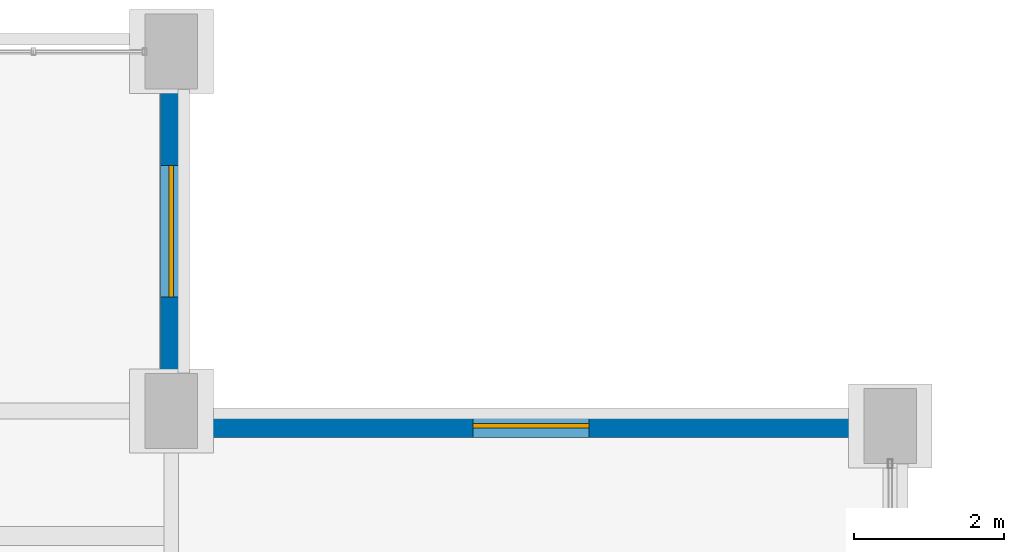
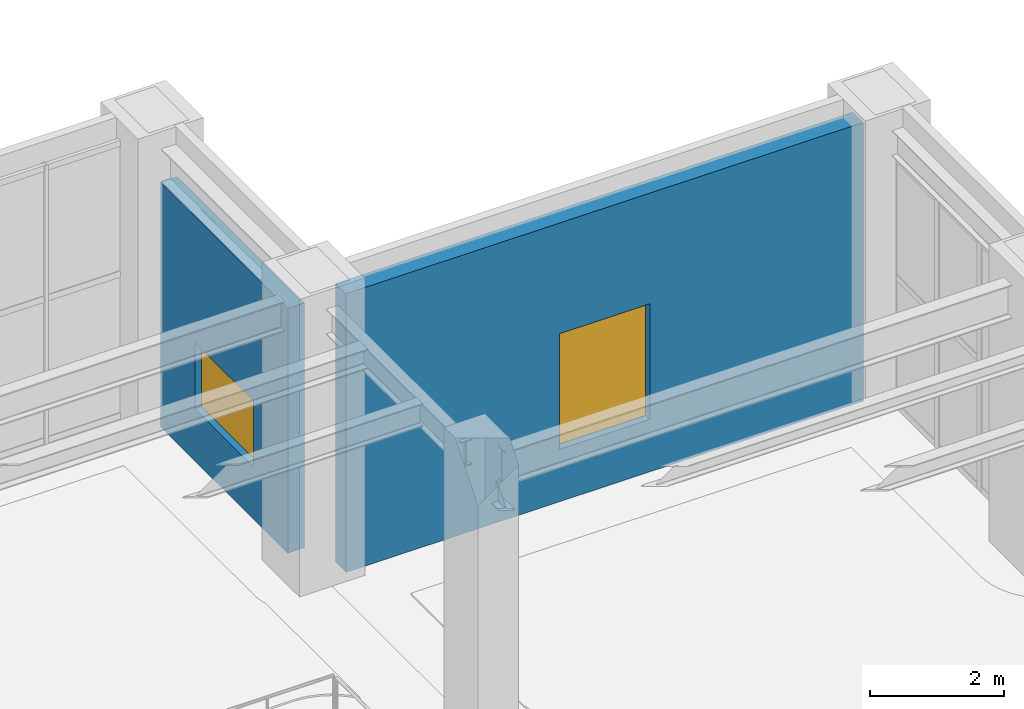
# One storey, part 137 of 164: 2 walls, 2 windows, 2 openings.
"""IFC4 building model written with IfcOpenShell, lengths in metres."""

from ifc_helpers import new_model, si_unit, direction, frame, frame_2d, origin, place, context, subcontext, project, spatial, rectangle, extrude, material, layer, layer_set, type_object, element, fill, save


model = new_model("IFC4")

# Units and contexts
model_context = context("Model", 3, precision=1e-05, world=origin(), true_north=direction((0.0, 1.0)))
body_context = subcontext(model_context, "Body", "Model", "MODEL_VIEW")
ifc_project = project(units=[si_unit("LENGTHUNIT", "METRE"), si_unit("AREAUNIT", "SQUARE_METRE"), si_unit("VOLUMEUNIT", "CUBIC_METRE"), si_unit("PLANEANGLEUNIT", "RADIAN"), si_unit("MASSUNIT", "GRAM", prefix="KILO")], contexts=[model_context])

# Site, building, storey
site_placement = place(None, origin())
site = spatial("IfcSite", under=ifc_project, at=site_placement, CompositionType="ELEMENT")
building_placement = place(site_placement, origin())
building = spatial("IfcBuilding", under=site, at=building_placement, Name="Mavantir Sound Aquarium", CompositionType="ELEMENT")
storey_placement = place(building_placement, origin())
storey = spatial("IfcBuildingStorey", under=building, at=storey_placement, Name="L00", CompositionType="ELEMENT", Elevation=0.0)

# Wall, opening, window
ifc_material_1 = material(Name="Coral-Buff Architectural Precast Concrete C40/50", Category="concrete")
ifc_layer_1 = layer(ifc_material_1, 0.31005859375, Name="Coral-Buff Architectural Precast Concrete C40/50")
ifc_layer_set_1 = layer_set([ifc_layer_1], Name="Coral-Buff Architectural Precast Concrete C40/50")
wall_type_1 = type_object("IfcWallType", Name="EW-CORAL-310", PredefinedType="SOLIDWALL", material=ifc_layer_set_1)
wall_1_placement = place(storey_placement, frame((146.0419921875, 80.60009765625, 0.0), z_axis=(0.0, 0.0, 1.0), x_axis=(-1.0, 0.0, 0.0)))
wall_1 = element("IfcWall", 1, at=wall_1_placement, inside=storey, type_object=wall_type_1, Name="L00 exterior facade wall EW-02 86", PredefinedType="SOLIDWALL", context=body_context, shape_type="SweptSolid", body=[
    extrude(rectangle(XDim=8.884033203125, YDim=0.31005859375, at=frame_2d((4.44189453125, 0.0))), origin(), (0.0, 0.0, 1.0), 5.06005859375),
])
opening_1_placement = place(wall_1_placement, frame((3.6669921875, 0.0, 0.949951171875)))
opening_1 = element("IfcOpeningElement", 2, at=opening_1_placement, cuts=wall_1, Name="Opening W-16", PredefinedType="OPENING", context=body_context, shape_type="SweptSolid", body=[
    extrude(rectangle(XDim=1.550048828125, YDim=2.10009765625, at=frame_2d((0.77490234375, 1.050048828125))), frame((0.0, 0.1650390625, 0.0), z_axis=(0.0, -1.0, 0.0), x_axis=(1.0, 0.0, 0.0)), (0.0, 0.0, 1.0), 0.330078125),
])
ifc_material_2 = material(Name="Thermally Broken Aluminium and Low-E Glass", Category="aluminium")
window_type_1 = type_object("IfcWindowType", Name="WIN-EXT-16", PartitioningType="SINGLE_PANEL", PredefinedType="WINDOW", material=ifc_material_2)
window_1_placement = place(opening_1_placement, origin())
window_1 = element("IfcWindow", 3, at=window_1_placement, inside=storey, type_object=window_type_1, Name="L00 facade window W-16 16", OverallHeight=2.10009765625, OverallWidth=1.550048828125, PartitioningType="SINGLE_PANEL", PredefinedType="WINDOW", context=body_context, shape_type="SweptSolid", body=[
    extrude(rectangle(XDim=1.550048828125, YDim=2.10009765625, at=frame_2d((0.77490234375, 1.050048828125))), frame((0.0, 0.030029296875, 0.0), z_axis=(0.0, -1.0, 0.0), x_axis=(1.0, 0.0, 0.0)), (0.0, 0.0, 1.0), 0.06005859375),
])
fill(opening_1, window_1)

ifc_material_3 = material(Name="Turquoise Glazed Terracotta Rainscreen on Concrete C40/50", Category="masonry")
ifc_layer_2 = layer(ifc_material_3, 0.2900390625, Name="Turquoise Glazed Terracotta Rainscreen on Concrete C40/50")
ifc_layer_set_2 = layer_set([ifc_layer_2], Name="Turquoise Glazed Terracotta Rainscreen on Concrete C40/50")
wall_type_2 = type_object("IfcWallType", Name="EW-TERRA-290", PredefinedType="SOLIDWALL", material=ifc_layer_set_2)
wall_2_placement = place(storey_placement, frame((136.800048828125, 81.30810546875, 0.0), z_axis=(0.0, 0.0, 1.0), x_axis=(0.0, 1.0, 0.0)))
wall_2 = element("IfcWall", 4, at=wall_2_placement, inside=storey, type_object=wall_type_2, Name="L00 exterior facade wall EW-03 87", PredefinedType="SOLIDWALL", context=body_context, shape_type="SweptSolid", body=[
    extrude(rectangle(XDim=3.783935546875, YDim=0.2900390625, at=frame_2d((1.89208984375, 0.0))), origin(), (0.0, 0.0, 1.0), 4.445068359375),
])
opening_2_placement = place(wall_2_placement, frame((1.01708984375, 0.0, 0.949951171875)))
opening_2 = element("IfcOpeningElement", 5, at=opening_2_placement, cuts=wall_2, Name="Opening W-17", PredefinedType="OPENING", context=body_context, shape_type="SweptSolid", body=[
    extrude(rectangle(XDim=1.75, YDim=1.199951171875, at=frame_2d((0.875, 0.60009765625))), frame((0.0, 0.155029296875, 0.0), z_axis=(0.0, -1.0, 0.0), x_axis=(1.0, 0.0, 0.0)), (0.0, 0.0, 1.0), 0.31005859375),
])
window_type_2 = type_object("IfcWindowType", Name="WIN-EXT-17", PartitioningType="DOUBLE_PANEL_VERTICAL", PredefinedType="WINDOW", material=ifc_material_2)
window_2_placement = place(opening_2_placement, origin())
window_2 = element("IfcWindow", 6, at=window_2_placement, inside=storey, type_object=window_type_2, Name="L00 facade window W-17 17", OverallHeight=1.199951171875, OverallWidth=1.75, PartitioningType="SINGLE_PANEL", PredefinedType="WINDOW", context=body_context, shape_type="SweptSolid", body=[
    extrude(rectangle(XDim=1.75, YDim=1.199951171875, at=frame_2d((0.875, 0.60009765625))), frame((0.0, 0.030029296875, 0.0), z_axis=(0.0, -1.0, 0.0), x_axis=(1.0, 0.0, 0.0)), (0.0, 0.0, 1.0), 0.06005859375),
])
fill(opening_2, window_2)

save(model, "model.ifc")
